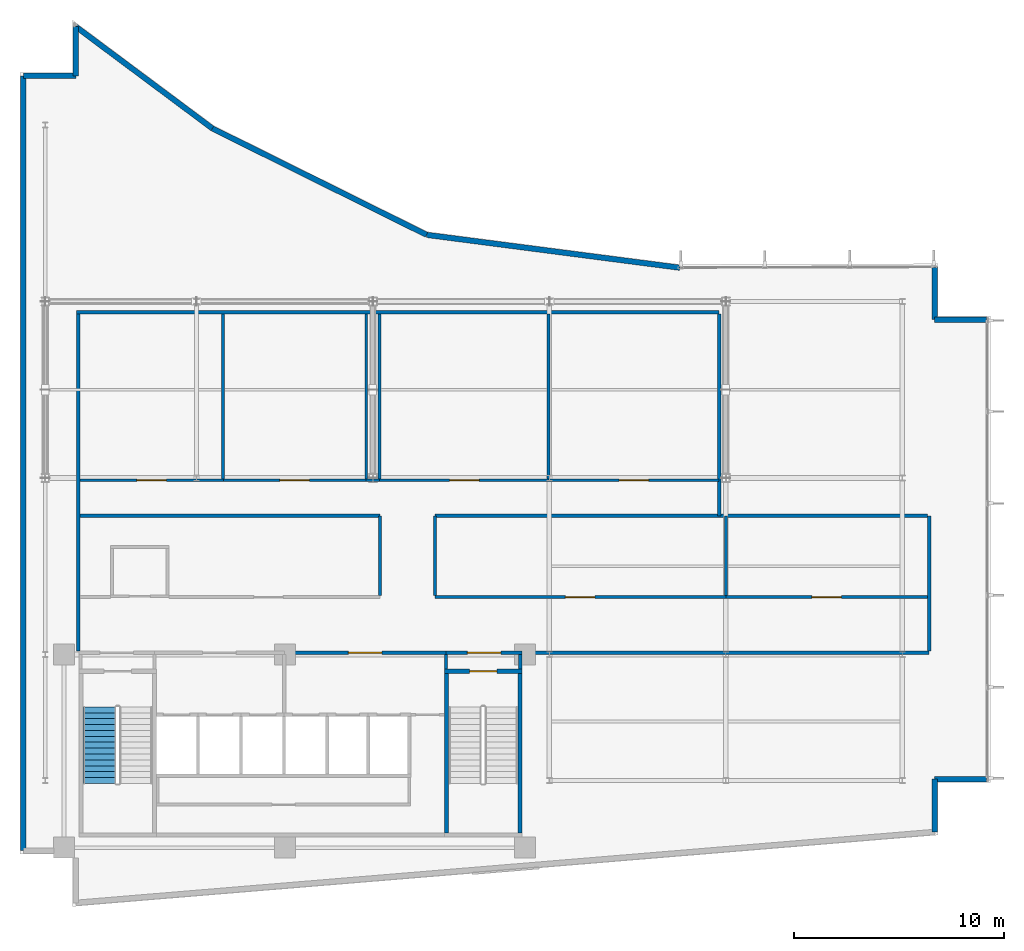
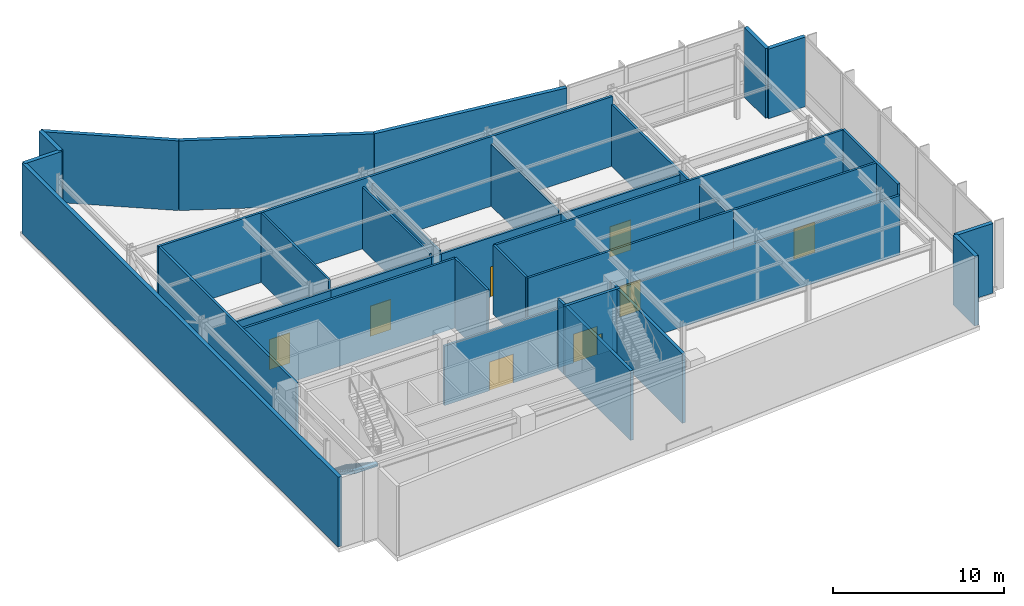
# One storey, part 11 of 15: 38 walls, 9 doors, 1 stair flight, 9 openings, 1 element without a shape of its own.
"""IFC4 building model written with IfcOpenShell, lengths in metres."""

from ifc_helpers import new_model, si_unit, direction, frame, frame_2d, origin, place, context, subcontext, project, spatial, polyline, rectangle, outline, extrude, material, layer, layer_set, type_object, element, fill, aggregate, save


model = new_model("IFC4")

# Units and contexts
model_context = context("Model", 3, precision=1e-05, world=origin(), true_north=direction((0.0, 1.0)))
body_context = subcontext(model_context, "Body", "Model", "MODEL_VIEW")
ifc_project = project(units=[si_unit("LENGTHUNIT", "METRE"), si_unit("AREAUNIT", "SQUARE_METRE"), si_unit("VOLUMEUNIT", "CUBIC_METRE"), si_unit("PLANEANGLEUNIT", "RADIAN"), si_unit("MASSUNIT", "GRAM", prefix="KILO")], contexts=[model_context])

# Site, building, storey
site_placement = place(None, origin())
site = spatial("IfcSite", under=ifc_project, at=site_placement, CompositionType="ELEMENT")
building_placement = place(site_placement, origin())
building = spatial("IfcBuilding", under=site, at=building_placement, Name="Varnakote Quay Hospital", CompositionType="ELEMENT")
storey_placement = place(building_placement, frame((0.0, 0.0, 235.550048828125)))
storey = spatial("IfcBuildingStorey", under=building, at=storey_placement, Name="L58", CompositionType="ELEMENT", Elevation=235.550048828125)

# Wall, opening, door
ifc_material_1 = material(Name="Fire-rated acoustic gypsum stud wall", Category="gypsum")
ifc_layer_1 = layer(ifc_material_1, 0.139892578125)
ifc_layer_set_1 = layer_set([ifc_layer_1], Name="Fire-rated acoustic gypsum stud wall")
wall_type_1 = type_object("IfcWallType", Name="WL-COMP-140", PredefinedType="PARTITIONING", material=ifc_layer_set_1)
wall_1_placement = place(storey_placement, frame((2.85009765625, 20.2900390625, 0.0), z_axis=(0.0, 0.0, 1.0), x_axis=(1.0, 0.0, 0.0)))
wall_1 = element("IfcWall", 1, at=wall_1_placement, inside=storey, type_object=wall_type_1, Name="L58 Central Chiller Mechanical Plant Corridor Wall", PredefinedType="PARTITIONING", context=body_context, shape_type="SweptSolid", body=[
    extrude(rectangle(XDim=6.829833984375, YDim=0.139892578125, at=frame_2d((3.4150390625, 0.0))), origin(), (0.0, 0.0, 1.0), 4.23486328125),
])
opening_1_placement = place(wall_1_placement, frame((2.715087890625, 0.0, 0.0)))
opening_1 = element("IfcOpeningElement", 2, at=opening_1_placement, cuts=wall_1, Name="Opening D-L58-CHIL", PredefinedType="OPENING", context=body_context, shape_type="SweptSolid", body=[
    extrude(rectangle(XDim=1.39990234375, YDim=2.14990234375, at=frame_2d((0.699951171875, 1.074951171875))), frame((0.0, 0.079833984375, 0.0), z_axis=(0.0, -1.0, 0.0), x_axis=(1.0, 0.0, 0.0)), (0.0, 0.0, 1.0), 0.159912109375),
])
ifc_material_2 = material(Name="Fire-rated acoustic plant room door")
door_type_1 = type_object("IfcDoorType", Name="DR-PLANT-FD60-1400x2150", OperationType="NOTDEFINED", PredefinedType="DOOR", material=ifc_material_2)
door_1_placement = place(opening_1_placement, origin())
door_1 = element("IfcDoor", 3, at=door_1_placement, inside=storey, type_object=door_type_1, Name="L58 Central Chiller Mechanical Plant Door", OperationType="SINGLE_SWING_LEFT", OverallHeight=2.14990234375, OverallWidth=1.39990234375, PredefinedType="DOOR", context=body_context, shape_type="SweptSolid", body=[
    extrude(rectangle(XDim=1.39990234375, YDim=2.14990234375, at=frame_2d((0.699951171875, 1.074951171875))), frame((0.0, 0.02490234375, 0.0), z_axis=(0.0, -1.0, 0.0), x_axis=(1.0, 0.0, 0.0)), (0.0, 0.0, 1.0), 0.050048828125),
])
fill(opening_1, door_1)

wall_2_placement = place(storey_placement, frame((9.681884765625, 20.2900390625, 0.0), z_axis=(0.0, 0.0, 1.0), x_axis=(1.0, 0.0, 0.0)))
wall_2 = element("IfcWall", 4, at=wall_2_placement, inside=storey, type_object=wall_type_1, Name="L58 Clinical Air Handling Mechanical Plant Corridor Wall", PredefinedType="PARTITIONING", context=body_context, shape_type="SweptSolid", body=[
    extrude(rectangle(XDim=6.798095703125, YDim=0.139892578125, at=frame_2d((3.39892578125, 0.0))), origin(), (0.0, 0.0, 1.0), 4.23486328125),
])
opening_2_placement = place(wall_2_placement, frame((2.68798828125, 0.0, 0.0)))
opening_2 = element("IfcOpeningElement", 5, at=opening_2_placement, cuts=wall_2, Name="Opening D-L58-AHU1", PredefinedType="OPENING", context=body_context, shape_type="SweptSolid", body=[
    extrude(rectangle(XDim=1.39990234375, YDim=2.14990234375, at=frame_2d((0.699951171875, 1.074951171875))), frame((0.0, 0.079833984375, 0.0), z_axis=(0.0, -1.0, 0.0), x_axis=(1.0, 0.0, 0.0)), (0.0, 0.0, 1.0), 0.159912109375),
])
door_2_placement = place(opening_2_placement, origin())
door_2 = element("IfcDoor", 6, at=door_2_placement, inside=storey, type_object=door_type_1, Name="L58 Clinical Air Handling Mechanical Plant Door", OperationType="SINGLE_SWING_RIGHT", OverallHeight=2.14990234375, OverallWidth=1.39990234375, PredefinedType="DOOR", context=body_context, shape_type="SweptSolid", body=[
    extrude(rectangle(XDim=1.39990234375, YDim=2.14990234375, at=frame_2d((0.699951171875, 1.074951171875))), frame((0.0, 0.02490234375, 0.0), z_axis=(0.0, -1.0, 0.0), x_axis=(1.0, 0.0, 0.0)), (0.0, 0.0, 1.0), 0.050048828125),
])
fill(opening_2, door_2)

# Wall
wall_3_placement = place(storey_placement, frame((16.47998046875, 20.2900390625, 0.0), z_axis=(0.0, 0.0, 1.0), x_axis=(1.0, 0.0, 0.0)))
element("IfcWall", 7, at=wall_3_placement, inside=storey, type_object=wall_type_1, Name="L58 Outrigger Bay Enclosure Wall", PredefinedType="PARTITIONING", context=body_context, shape_type="SweptSolid", body=[
    extrude(rectangle(XDim=0.64013671875, YDim=0.139892578125, at=frame_2d((0.320068359375, 0.0))), origin(), (0.0, 0.0, 1.0), 4.23486328125),
])

# Wall, opening, door
wall_4_placement = place(storey_placement, frame((17.1201171875, 20.2900390625, 0.0), z_axis=(0.0, 0.0, 1.0), x_axis=(1.0, 0.0, 0.0)))
wall_4 = element("IfcWall", 8, at=wall_4_placement, inside=storey, type_object=wall_type_1, Name="L58 Essential Standby Power Generator Plant Corridor Wall", PredefinedType="PARTITIONING", context=body_context, shape_type="SweptSolid", body=[
    extrude(rectangle(XDim=8.059814453125, YDim=0.139892578125, at=frame_2d((4.02978515625, 0.0))), origin(), (0.0, 0.0, 1.0), 4.23486328125),
])
opening_3_placement = place(wall_4_placement, frame((3.330078125, 0.0, 0.0)))
opening_3 = element("IfcOpeningElement", 9, at=opening_3_placement, cuts=wall_4, Name="Opening D-L58-STBY", PredefinedType="OPENING", context=body_context, shape_type="SweptSolid", body=[
    extrude(rectangle(XDim=1.39990234375, YDim=2.14990234375, at=frame_2d((0.699951171875, 1.074951171875))), frame((0.0, 0.079833984375, 0.0), z_axis=(0.0, -1.0, 0.0), x_axis=(1.0, 0.0, 0.0)), (0.0, 0.0, 1.0), 0.159912109375),
])
door_3_placement = place(opening_3_placement, origin())
door_3 = element("IfcDoor", 10, at=door_3_placement, inside=storey, type_object=door_type_1, Name="L58 Essential Standby Power Generator Plant Door", OperationType="SINGLE_SWING_LEFT", OverallHeight=2.14990234375, OverallWidth=1.39990234375, PredefinedType="DOOR", context=body_context, shape_type="SweptSolid", body=[
    extrude(rectangle(XDim=1.39990234375, YDim=2.14990234375, at=frame_2d((0.699951171875, 1.074951171875))), frame((0.0, 0.02490234375, 0.0), z_axis=(0.0, -1.0, 0.0), x_axis=(1.0, 0.0, 0.0)), (0.0, 0.0, 1.0), 0.050048828125),
])
fill(opening_3, door_3)

wall_5_placement = place(storey_placement, frame((25.181884765625, 20.2900390625, 0.0), z_axis=(0.0, 0.0, 1.0), x_axis=(1.0, 0.0, 0.0)))
wall_5 = element("IfcWall", 11, at=wall_5_placement, inside=storey, type_object=wall_type_1, Name="L58 Hydraulic Break Tank & Fire Pump Plant Corridor Wall", PredefinedType="PARTITIONING", context=body_context, shape_type="SweptSolid", body=[
    extrude(rectangle(XDim=8.09814453125, YDim=0.139892578125, at=frame_2d((4.049072265625, 0.0))), origin(), (0.0, 0.0, 1.0), 4.23486328125),
])
opening_4_placement = place(wall_5_placement, frame((3.337890625, 0.0, 0.0)))
opening_4 = element("IfcOpeningElement", 12, at=opening_4_placement, cuts=wall_5, Name="Opening D-L58-PUMP", PredefinedType="OPENING", context=body_context, shape_type="SweptSolid", body=[
    extrude(rectangle(XDim=1.39990234375, YDim=2.14990234375, at=frame_2d((0.699951171875, 1.074951171875))), frame((0.0, 0.079833984375, 0.0), z_axis=(0.0, -1.0, 0.0), x_axis=(1.0, 0.0, 0.0)), (0.0, 0.0, 1.0), 0.159912109375),
])
door_4_placement = place(opening_4_placement, origin())
door_4 = element("IfcDoor", 13, at=door_4_placement, inside=storey, type_object=door_type_1, Name="L58 Hydraulic Break Tank & Fire Pump Plant Door", OperationType="SINGLE_SWING_RIGHT", OverallHeight=2.14990234375, OverallWidth=1.39990234375, PredefinedType="DOOR", context=body_context, shape_type="SweptSolid", body=[
    extrude(rectangle(XDim=1.39990234375, YDim=2.14990234375, at=frame_2d((0.699951171875, 1.074951171875))), frame((0.0, 0.02490234375, 0.0), z_axis=(0.0, -1.0, 0.0), x_axis=(1.0, 0.0, 0.0)), (0.0, 0.0, 1.0), 0.050048828125),
])
fill(opening_4, door_4)

# Walls
ifc_material_3 = material(Name="Fire-rated acoustic gypsum stud wall", Category="gypsum")
ifc_layer_2 = layer(ifc_material_3, 0.14990234375)
ifc_layer_set_2 = layer_set([ifc_layer_2], Name="Fire-rated acoustic gypsum stud wall")
wall_type_2 = type_object("IfcWallType", Name="WL-COMP-150", PredefinedType="PARTITIONING", material=ifc_layer_set_2)
wall_6_placement = place(storey_placement, frame((17.139892578125, 14.81005859375, 0.0), z_axis=(0.0, 0.0, 1.0), x_axis=(0.0, 1.0, 0.0)))
element("IfcWall", 14, at=wall_6_placement, inside=storey, type_object=wall_type_2, Name="L58 West Refuge Link Wall", PredefinedType="PARTITIONING", context=body_context, shape_type="SweptSolid", body=[
    extrude(rectangle(XDim=3.7900390625, YDim=0.14990234375, at=frame_2d((1.89501953125, 0.0))), origin(), (0.0, 0.0, 1.0), 4.9599609375),
])
wall_7_placement = place(storey_placement, frame((2.85009765625, 18.60009765625, 0.0), z_axis=(0.0, 0.0, 1.0), x_axis=(1.0, 0.0, 0.0)))
element("IfcWall", 15, at=wall_7_placement, inside=storey, type_object=wall_type_2, Name="L58 West Refuge North Wall", PredefinedType="PARTITIONING", context=body_context, shape_type="SweptSolid", body=[
    extrude(rectangle(XDim=14.289794921875, YDim=0.14990234375, at=frame_2d((7.14501953125, 0.0))), origin(), (0.0, 0.0, 1.0), 4.9599609375),
])
wall_8_placement = place(storey_placement, frame((19.760009765625, 14.81005859375, 0.0), z_axis=(0.0, 0.0, 1.0), x_axis=(0.0, 1.0, 0.0)))
element("IfcWall", 16, at=wall_8_placement, inside=storey, type_object=wall_type_2, Name="L58 Central Refuge Link Wall", PredefinedType="PARTITIONING", context=body_context, shape_type="SweptSolid", body=[
    extrude(rectangle(XDim=3.7900390625, YDim=0.14990234375, at=frame_2d((1.89501953125, 0.0))), origin(), (0.0, 0.0, 1.0), 4.9599609375),
])

# Wall, opening, door
wall_9_placement = place(storey_placement, frame((19.760009765625, 14.72998046875, 0.0), z_axis=(0.0, 0.0, 1.0), x_axis=(1.0, 0.0, 0.0)))
wall_9 = element("IfcWall", 17, at=wall_9_placement, inside=storey, type_object=wall_type_2, Name="L58 Central Refuge Corridor Wall", PredefinedType="PARTITIONING", context=body_context, shape_type="SweptSolid", body=[
    extrude(rectangle(XDim=13.840087890625, YDim=0.14990234375, at=frame_2d((6.919921875, 0.0))), origin(), (0.0, 0.0, 1.0), 4.9599609375),
])
opening_5_placement = place(wall_9_placement, frame((6.199951171875, 0.0, 0.0)))
opening_5 = element("IfcOpeningElement", 18, at=opening_5_placement, cuts=wall_9, Name="Opening D-REF2-L58", PredefinedType="OPENING", context=body_context, shape_type="SweptSolid", body=[
    extrude(rectangle(XDim=1.39990234375, YDim=2.14990234375, at=frame_2d((0.699951171875, 1.074951171875))), frame((0.0, 0.0849609375, 0.0), z_axis=(0.0, -1.0, 0.0), x_axis=(1.0, 0.0, 0.0)), (0.0, 0.0, 1.0), 0.169921875),
])
door_5_placement = place(opening_5_placement, origin())
door_5 = element("IfcDoor", 19, at=door_5_placement, inside=storey, type_object=door_type_1, Name="L58 Fire Refuge Holding Area Central Door", OperationType="SINGLE_SWING_LEFT", OverallHeight=2.14990234375, OverallWidth=1.39990234375, PredefinedType="DOOR", context=body_context, shape_type="SweptSolid", body=[
    extrude(rectangle(XDim=1.39990234375, YDim=2.14990234375, at=frame_2d((0.699951171875, 1.074951171875))), frame((0.0, 0.02490234375, 0.0), z_axis=(0.0, -1.0, 0.0), x_axis=(1.0, 0.0, 0.0)), (0.0, 0.0, 1.0), 0.050048828125),
])
fill(opening_5, door_5)

# Wall
wall_10_placement = place(storey_placement, frame((33.60009765625, 14.81005859375, 0.0), z_axis=(0.0, 0.0, 1.0), x_axis=(0.0, 1.0, 0.0)))
element("IfcWall", 20, at=wall_10_placement, inside=storey, type_object=wall_type_2, Name="L58 East Refuge Divider Wall", PredefinedType="PARTITIONING", context=body_context, shape_type="SweptSolid", body=[
    extrude(rectangle(XDim=3.7900390625, YDim=0.14990234375, at=frame_2d((1.89501953125, 0.0))), origin(), (0.0, 0.0, 1.0), 4.406982421875),
])

# Wall, opening, door
wall_11_placement = place(storey_placement, frame((33.60009765625, 14.72998046875, 0.0), z_axis=(0.0, 0.0, 1.0), x_axis=(1.0, 0.0, 0.0)))
wall_11 = element("IfcWall", 21, at=wall_11_placement, inside=storey, type_object=wall_type_2, Name="L58 East Refuge Corridor Wall", PredefinedType="PARTITIONING", context=body_context, shape_type="SweptSolid", body=[
    extrude(rectangle(XDim=9.599853515625, YDim=0.14990234375, at=frame_2d((4.7998046875, 0.0))), origin(), (0.0, 0.0, 1.0), 4.9599609375),
])
opening_6_placement = place(wall_11_placement, frame((4.10009765625, 0.0, 0.0)))
opening_6 = element("IfcOpeningElement", 22, at=opening_6_placement, cuts=wall_11, Name="Opening D-REF3-L58", PredefinedType="OPENING", context=body_context, shape_type="SweptSolid", body=[
    extrude(rectangle(XDim=1.39990234375, YDim=2.14990234375, at=frame_2d((0.699951171875, 1.074951171875))), frame((0.0, 0.0849609375, 0.0), z_axis=(0.0, -1.0, 0.0), x_axis=(1.0, 0.0, 0.0)), (0.0, 0.0, 1.0), 0.169921875),
])
door_6_placement = place(opening_6_placement, origin())
door_6 = element("IfcDoor", 23, at=door_6_placement, inside=storey, type_object=door_type_1, Name="L58 Fire Refuge Holding Area East Door", OperationType="SINGLE_SWING_RIGHT", OverallHeight=2.14990234375, OverallWidth=1.39990234375, PredefinedType="DOOR", context=body_context, shape_type="SweptSolid", body=[
    extrude(rectangle(XDim=1.39990234375, YDim=2.14990234375, at=frame_2d((0.699951171875, 1.074951171875))), frame((0.0, 0.02490234375, 0.0), z_axis=(0.0, -1.0, 0.0), x_axis=(1.0, 0.0, 0.0)), (0.0, 0.0, 1.0), 0.050048828125),
])
fill(opening_6, door_6)

# Wall
wall_12_placement = place(storey_placement, frame((19.760009765625, 18.60009765625, 0.0), z_axis=(0.0, 0.0, 1.0), x_axis=(1.0, 0.0, 0.0)))
element("IfcWall", 24, at=wall_12_placement, inside=storey, type_object=wall_type_2, Name="L58 East Refuge North Wall", PredefinedType="PARTITIONING", context=body_context, shape_type="SweptSolid", body=[
    extrude(rectangle(XDim=23.43994140625, YDim=0.14990234375, at=frame_2d((11.719970703125, 0.0))), origin(), (0.0, 0.0, 1.0), 4.9599609375),
])

# Wall, opening, door
ifc_material_4 = material(Name="Fire-rated acoustic gypsum stud wall", Category="gypsum")
ifc_layer_3 = layer(ifc_material_4, 0.159912109375)
ifc_layer_set_3 = layer_set([ifc_layer_3], Name="Fire-rated acoustic gypsum stud wall")
wall_type_3 = type_object("IfcWallType", Name="WL-COMP-160", PredefinedType="PARTITIONING", material=ifc_layer_set_3)
wall_13_placement = place(storey_placement, frame((12.580078125, 12.080078125, 0.0), z_axis=(0.0, 0.0, 1.0), x_axis=(1.0, 0.0, 0.0)))
wall_13 = element("IfcWall", 25, at=wall_13_placement, inside=storey, type_object=wall_type_3, Name="L58 Clinical Bed Lift Lobby Wall", PredefinedType="PARTITIONING", context=body_context, shape_type="SweptSolid", body=[
    extrude(rectangle(XDim=7.699951171875, YDim=0.159912109375, at=frame_2d((3.85009765625, 0.0))), origin(), (0.0, 0.0, 1.0), 4.23486328125),
])
opening_7_placement = place(wall_13_placement, frame((3.050048828125, 0.0, 0.0)))
opening_7 = element("IfcOpeningElement", 26, at=opening_7_placement, cuts=wall_13, Name="Opening D-SVL-L58", PredefinedType="OPENING", context=body_context, shape_type="SweptSolid", body=[
    extrude(rectangle(XDim=1.60009765625, YDim=2.050048828125, at=frame_2d((0.800048828125, 1.02490234375))), frame((0.0, 0.08984375, 0.0), z_axis=(0.0, -1.0, 0.0), x_axis=(1.0, 0.0, 0.0)), (0.0, 0.0, 1.0), 0.179931640625),
])
ifc_material_5 = material(Name="Fire-rated double smoke lobby door")
door_type_2 = type_object("IfcDoorType", Name="DR-LOBBY-FD60S-1600x2150", OperationType="NOTDEFINED", PredefinedType="DOOR", material=ifc_material_5)
door_7_placement = place(opening_7_placement, origin())
door_7 = element("IfcDoor", 27, at=door_7_placement, inside=storey, type_object=door_type_2, Name="L58 Clinical Core Smoke Vestibule Door", OperationType="DOUBLE_DOOR_SINGLE_SWING", OverallHeight=2.050048828125, OverallWidth=1.60009765625, PredefinedType="DOOR", context=body_context, shape_type="SweptSolid", body=[
    extrude(rectangle(XDim=1.60009765625, YDim=2.050048828125, at=frame_2d((0.800048828125, 1.02490234375))), frame((0.0, 0.02490234375, 0.0), z_axis=(0.0, -1.0, 0.0), x_axis=(1.0, 0.0, 0.0)), (0.0, 0.0, 1.0), 0.050048828125),
])
fill(opening_7, door_7)

# Wall
wall_14_placement = place(storey_placement, frame((20.280029296875, 11.300048828125, 0.0), z_axis=(0.0, 0.0, 1.0), x_axis=(0.0, 1.0, 0.0)))
element("IfcWall", 28, at=wall_14_placement, inside=storey, type_object=wall_type_3, Name="L58 East Stair Vestibule Divider Wall", PredefinedType="PARTITIONING", context=body_context, shape_type="SweptSolid", body=[
    extrude(rectangle(XDim=0.699951171875, YDim=0.159912109375, at=frame_2d((0.35009765625, 0.0))), origin(), (0.0, 0.0, 1.0), 4.9599609375),
])

# Wall, opening, door
wall_15_placement = place(storey_placement, frame((20.280029296875, 12.080078125, 0.0), z_axis=(0.0, 0.0, 1.0), x_axis=(1.0, 0.0, 0.0)))
wall_15 = element("IfcWall", 29, at=wall_15_placement, inside=storey, type_object=wall_type_3, Name="L58 East Stair Vestibule Smoke Wall", PredefinedType="PARTITIONING", context=body_context, shape_type="SweptSolid", body=[
    extrude(rectangle(XDim=3.619873046875, YDim=0.159912109375, at=frame_2d((1.81005859375, 0.0))), origin(), (0.0, 0.0, 1.0), 4.23486328125),
])
opening_8_placement = place(wall_15_placement, frame((1.010009765625, 0.0, 0.0)))
opening_8 = element("IfcOpeningElement", 30, at=opening_8_placement, cuts=wall_15, Name="Opening D-ST2L-L58", PredefinedType="OPENING", context=body_context, shape_type="SweptSolid", body=[
    extrude(rectangle(XDim=1.60009765625, YDim=2.050048828125, at=frame_2d((0.800048828125, 1.02490234375))), frame((0.0, 0.08984375, 0.0), z_axis=(0.0, -1.0, 0.0), x_axis=(1.0, 0.0, 0.0)), (0.0, 0.0, 1.0), 0.179931640625),
])
door_8_placement = place(opening_8_placement, origin())
door_8 = element("IfcDoor", 31, at=door_8_placement, inside=storey, type_object=door_type_2, Name="L58 East Stair Vestibule Smoke Door", OperationType="DOUBLE_DOOR_SINGLE_SWING", OverallHeight=2.050048828125, OverallWidth=1.60009765625, PredefinedType="DOOR", context=body_context, shape_type="SweptSolid", body=[
    extrude(rectangle(XDim=1.60009765625, YDim=2.050048828125, at=frame_2d((0.800048828125, 1.02490234375))), frame((0.0, 0.02490234375, 0.0), z_axis=(0.0, -1.0, 0.0), x_axis=(1.0, 0.0, 0.0)), (0.0, 0.0, 1.0), 0.050048828125),
])
fill(opening_8, door_8)

# Walls
wall_16_placement = place(storey_placement, frame((23.820068359375, 11.300048828125, 0.0), z_axis=(0.0, 0.0, 1.0), x_axis=(0.0, 1.0, 0.0)))
element("IfcWall", 32, at=wall_16_placement, inside=storey, type_object=wall_type_3, Name="L58 East Stair Vestibule East Wall", PredefinedType="PARTITIONING", context=body_context, shape_type="SweptSolid", body=[
    extrude(rectangle(XDim=0.699951171875, YDim=0.159912109375, at=frame_2d((0.35009765625, 0.0))), origin(), (0.0, 0.0, 1.0), 4.9599609375),
])
wall_17_placement = place(storey_placement, frame((2.77001953125, 12.159912109375, 0.0), z_axis=(0.0, 0.0, 1.0), x_axis=(0.0, 1.0, 0.0)))
element("IfcWall", 33, at=wall_17_placement, inside=storey, type_object=wall_type_3, Name="L58 Plant Block West Enclosure Wall", PredefinedType="PARTITIONING", context=body_context, shape_type="SweptSolid", body=[
    extrude(rectangle(XDim=16.0400390625, YDim=0.159912109375, at=frame_2d((8.02001953125, 0.0))), origin(), (0.0, 0.0, 1.0), 4.9599609375),
])
wall_18_placement = place(storey_placement, frame((2.68994140625, 28.280029296875, 0.0), z_axis=(0.0, 0.0, 1.0), x_axis=(1.0, 0.0, 0.0)))
element("IfcWall", 34, at=wall_18_placement, inside=storey, type_object=wall_type_3, Name="L58 Plant Block North Enclosure Wall", PredefinedType="PARTITIONING", context=body_context, shape_type="SweptSolid", body=[
    extrude(rectangle(XDim=30.590087890625, YDim=0.159912109375, at=frame_2d((15.294921875, 0.0))), origin(), (0.0, 0.0, 1.0), 4.9599609375),
])
wall_19_placement = place(storey_placement, frame((33.280029296875, 18.60009765625, 0.0), z_axis=(0.0, 0.0, 1.0), x_axis=(0.0, 1.0, 0.0)))
element("IfcWall", 35, at=wall_19_placement, inside=storey, type_object=wall_type_3, Name="L58 Plant Block East Enclosure Wall", PredefinedType="PARTITIONING", context=body_context, shape_type="SweptSolid", body=[
    extrude(rectangle(XDim=9.599853515625, YDim=0.159912109375, at=frame_2d((4.7998046875, 0.0))), origin(), (0.0, 0.0, 1.0), 4.406982421875),
])
wall_20_placement = place(storey_placement, frame((43.280029296875, 12.159912109375, 0.0), z_axis=(0.0, 0.0, 1.0), x_axis=(0.0, 1.0, 0.0)))
element("IfcWall", 36, at=wall_20_placement, inside=storey, type_object=wall_type_3, Name="L58 Refuge & Plant East End Wall", PredefinedType="PARTITIONING", context=body_context, shape_type="SweptSolid", body=[
    extrude(rectangle(XDim=6.440185546875, YDim=0.159912109375, at=frame_2d((3.22021484375, 0.0))), origin(), (0.0, 0.0, 1.0), 4.9599609375),
])
wall_21_placement = place(storey_placement, frame((23.919921875, 12.080078125, 0.0), z_axis=(0.0, 0.0, 1.0), x_axis=(1.0, 0.0, 0.0)))
element("IfcWall", 37, at=wall_21_placement, inside=storey, type_object=wall_type_3, Name="L58 Plant Corridor South Gap Wall", PredefinedType="PARTITIONING", context=body_context, shape_type="SweptSolid", body=[
    extrude(rectangle(XDim=19.360107421875, YDim=0.159912109375, at=frame_2d((9.68017578125, 0.0))), origin(), (0.0, 0.0, 1.0), 4.23486328125),
])
ifc_material_6 = material(Name="Precast concrete N50 (f'c 50 MPa)", Category="concrete")
ifc_layer_4 = layer(ifc_material_6, 0.260009765625)
ifc_layer_set_4 = layer_set([ifc_layer_4], Name="Precast concrete N50 (f'c 50 MPa)")
wall_type_4 = type_object("IfcWallType", Name="WL-EXT-BRICK-260", PredefinedType="STANDARD", material=ifc_layer_set_4)
wall_22_placement = place(storey_placement, frame((43.5400390625, 3.54736328125, 0.0), z_axis=(0.0, 0.0, 1.0), x_axis=(0.0, 1.0, 0.0)))
element("IfcWall", 38, at=wall_22_placement, inside=storey, type_object=wall_type_4, Name="L58 Brick-Faced Precast Exterior Wall", PredefinedType="STANDARD", context=body_context, shape_type="SweptSolid", body=[
    extrude(rectangle(XDim=2.5126953125, YDim=0.260009765625, at=frame_2d((1.25634765625, 0.0))), origin(), (0.0, 0.0, 1.0), 4.9599609375),
])
for number, where, z_axis, x_axis, name in (
    (39, (43.5400390625, 6.06005859375, 0.0), (0.0, 0.0, 1.0), (1.0, 0.0, 0.0), "L58 Brick-Faced Precast Exterior Wall"),
    (40, (46.0400390625, 27.93994140625, 0.0), (0.0, 0.0, 1.0), (-1.0, 0.0, 0.0), "L58 Brick-Faced Precast Exterior Wall"),
):
    element("IfcWall", number, at=place(storey_placement, frame(where, z_axis=z_axis, x_axis=x_axis)), inside=storey, type_object=wall_type_4, Name=name, PredefinedType="STANDARD", context=body_context, shape_type="SweptSolid", body=[
        extrude(rectangle(XDim=2.5, YDim=0.260009765625, at=frame_2d((1.25, 0.0))), origin(), (0.0, 0.0, 1.0), 4.9599609375),
    ])
wall_23_placement = place(storey_placement, frame((43.5400390625, 27.93994140625, 0.0), z_axis=(0.0, 0.0, 1.0), x_axis=(0.0, 1.0, 0.0)))
element("IfcWall", 41, at=wall_23_placement, inside=storey, type_object=wall_type_4, Name="L58 Brick-Faced Precast Exterior Wall", PredefinedType="STANDARD", context=body_context, shape_type="SweptSolid", body=[
    extrude(rectangle(XDim=2.499755859375, YDim=0.260009765625, at=frame_2d((1.25, 0.0))), origin(), (0.0, 0.0, 1.0), 4.9599609375),
])
wall_24_placement = place(storey_placement, frame((31.406005859375, 30.407958984375, 0.0), z_axis=(0.0, 0.0, 1.0), x_axis=(-0.991671073677, 0.128796279577, 0.0)))
element("IfcWall", 42, at=wall_24_placement, inside=storey, type_object=wall_type_4, Name="L58 Brick-Faced Precast Exterior Wall", PredefinedType="STANDARD", context=body_context, shape_type="SweptSolid", body=[
    extrude(rectangle(XDim=12.150634765625, YDim=0.260009765625, at=frame_2d((6.0751953125, 0.0))), origin(), (0.0, 0.0, 1.0), 4.9599609375),
])
wall_25_placement = place(storey_placement, frame((19.356689453125, 31.972900390625, 0.0), z_axis=(0.0, 0.0, 1.0), x_axis=(-0.895624365378, 0.444811191565, 0.0)))
element("IfcWall", 43, at=wall_25_placement, inside=storey, type_object=wall_type_4, Name="L58 Brick-Faced Precast Exterior Wall", PredefinedType="STANDARD", context=body_context, shape_type="SweptSolid", body=[
    extrude(rectangle(XDim=11.389404296875, YDim=0.260009765625, at=frame_2d((5.69482421875, 0.0))), origin(), (0.0, 0.0, 1.0), 4.9599609375),
])
wall_26_placement = place(storey_placement, frame((9.156005859375, 37.0390625, 0.0), z_axis=(0.0, 0.0, 1.0), x_axis=(-0.801775528243, 0.597625302602, 0.0)))
element("IfcWall", 44, at=wall_26_placement, inside=storey, type_object=wall_type_4, Name="L58 Brick-Faced Precast Exterior Wall", PredefinedType="STANDARD", context=body_context, shape_type="SweptSolid", body=[
    extrude(rectangle(XDim=8.10205078125, YDim=0.260009765625, at=frame_2d((4.051025390625, 0.0))), origin(), (0.0, 0.0, 1.0), 4.9599609375),
])
wall_27_placement = place(storey_placement, frame((2.659912109375, 41.881103515625, 0.0), z_axis=(0.0, 0.0, 1.0), x_axis=(0.0, -1.0, 0.0)))
element("IfcWall", 45, at=wall_27_placement, inside=storey, type_object=wall_type_4, Name="L58 Brick-Faced Precast Exterior Wall", PredefinedType="STANDARD", context=body_context, shape_type="SweptSolid", body=[
    extrude(rectangle(XDim=2.341064453125, YDim=0.260009765625, at=frame_2d((1.17041015625, 0.0))), origin(), (0.0, 0.0, 1.0), 4.9599609375),
])
wall_28_placement = place(storey_placement, frame((2.659912109375, 39.5400390625, 0.0), z_axis=(0.0, 0.0, 1.0), x_axis=(-1.0, 0.0, 0.0)))
element("IfcWall", 46, at=wall_28_placement, inside=storey, type_object=wall_type_4, Name="L58 Brick-Faced Precast Exterior Wall", PredefinedType="STANDARD", context=body_context, shape_type="SweptSolid", body=[
    extrude(rectangle(XDim=2.5, YDim=0.260009765625, at=frame_2d((1.25, 0.0))), origin(), (0.0, 0.0, 1.0), 4.9599609375),
])
wall_29_placement = place(storey_placement, frame((0.159912109375, 39.5400390625, 0.0), z_axis=(0.0, 0.0, 1.0), x_axis=(0.0, -1.0, 0.0)))
element("IfcWall", 47, at=wall_29_placement, inside=storey, type_object=wall_type_4, Name="L58 Brick-Faced Precast Exterior Wall", PredefinedType="STANDARD", context=body_context, shape_type="SweptSolid", body=[
    extrude(rectangle(XDim=36.880126953125, YDim=0.260009765625, at=frame_2d((18.43994140625, 0.0))), origin(), (0.0, 0.0, 1.0), 4.9599609375),
])
ifc_material_7 = material(Name="Concrete N50 (f'c 50 MPa)", Category="concrete")
ifc_layer_5 = layer(ifc_material_7, 0.199951171875)
ifc_layer_set_5 = layer_set([ifc_layer_5], Name="Concrete N50 (f'c 50 MPa)")
wall_type_5 = type_object("IfcWallType", Name="WL-SHAFT-N50-200", PredefinedType="SHEAR", material=ifc_layer_set_5)
for number, where, z_axis, x_axis, name in (
    (48, (20.300048828125, 3.5, 0.0), (0.0, 0.0, 1.0), (0.0, 1.0, 0.0), "L58 Stair ST2 West Shaft Wall"),
    (49, (23.800048828125, 3.5, 0.0), (0.0, 0.0, 1.0), (0.0, 1.0, 0.0), "L58 Stair ST2 East Shaft Wall"),
):
    element("IfcWall", number, at=place(storey_placement, frame(where, z_axis=z_axis, x_axis=x_axis)), inside=storey, type_object=wall_type_5, Name=name, PredefinedType="SHEAR", context=body_context, shape_type="SweptSolid", body=[
        extrude(rectangle(XDim=7.60009765625, YDim=0.199951171875, at=frame_2d((3.800048828125, 0.0))), origin(), (0.0, 0.0, 1.0), 4.9599609375),
    ])

# Wall, opening, door
wall_30_placement = place(storey_placement, frame((20.199951171875, 11.199951171875, 0.0), z_axis=(0.0, 0.0, 1.0), x_axis=(1.0, 0.0, 0.0)))
wall_30 = element("IfcWall", 50, at=wall_30_placement, inside=storey, type_object=wall_type_5, Name="L58 Stair ST2 Exit Wall", PredefinedType="SHEAR", context=body_context, shape_type="SweptSolid", body=[
    extrude(rectangle(XDim=3.699951171875, YDim=0.199951171875, at=frame_2d((1.85009765625, 0.0))), origin(), (0.0, 0.0, 1.0), 4.9599609375),
])
opening_9_placement = place(wall_30_placement, frame((1.199951171875, 0.0, 0.0)))
opening_9 = element("IfcOpeningElement", 51, at=opening_9_placement, cuts=wall_30, Name="Opening D-ST2-L58", PredefinedType="OPENING", context=body_context, shape_type="SweptSolid", body=[
    extrude(rectangle(XDim=1.300048828125, YDim=2.14990234375, at=frame_2d((0.64990234375, 1.074951171875))), frame((0.0, 0.10986328125, 0.0), z_axis=(0.0, -1.0, 0.0), x_axis=(1.0, 0.0, 0.0)), (0.0, 0.0, 1.0), 0.219970703125),
])
ifc_material_8 = material(Name="Fire-rated ceramic-glazed timber exit door", Category="wood")
door_type_3 = type_object("IfcDoorType", Name="DR-STAIR-FD60S-1300x2150", OperationType="NOTDEFINED", PredefinedType="DOOR", material=ifc_material_8)
door_9_placement = place(opening_9_placement, origin())
door_9 = element("IfcDoor", 52, at=door_9_placement, inside=storey, type_object=door_type_3, Name="L58 Stair ST2 Fire Exit Door", OperationType="SINGLE_SWING_RIGHT", OverallHeight=2.14990234375, OverallWidth=1.300048828125, PredefinedType="DOOR", context=body_context, shape_type="SweptSolid", body=[
    extrude(rectangle(XDim=1.300048828125, YDim=2.14990234375, at=frame_2d((0.64990234375, 1.074951171875))), frame((0.0, 0.02490234375, 0.0), z_axis=(0.0, -1.0, 0.0), x_axis=(1.0, 0.0, 0.0)), (0.0, 0.0, 1.0), 0.050048828125),
])
fill(opening_9, door_9)

# Walls
ifc_material_9 = material(Name="Smoke-proof clinical partition", Category="gypsum")
ifc_layer_6 = layer(ifc_material_9, 0.135009765625)
ifc_layer_set_6 = layer_set([ifc_layer_6], Name="Smoke-proof clinical partition")
wall_type_6 = type_object("IfcWallType", Name="WL-SMOKE-135", PredefinedType="PARTITIONING", material=ifc_layer_set_6)
wall_31_placement = place(storey_placement, frame((9.659912109375, 20.360107421875, 0.0), z_axis=(0.0, 0.0, 1.0), x_axis=(0.0, 1.0, 0.0)))
element("IfcWall", 53, at=wall_31_placement, inside=storey, type_object=wall_type_6, Name="L58 Clinical Air Handling Mechanical Plant West Wall", PredefinedType="PARTITIONING", context=body_context, shape_type="SweptSolid", body=[
    extrude(rectangle(XDim=7.83984375, YDim=0.135009765625, at=frame_2d((3.919921875, 0.0))), origin(), (0.0, 0.0, 1.0), 4.9599609375),
])
for number, where, z_axis, x_axis, name in (
    (54, (16.47998046875, 20.360107421875, 0.0), (0.0, 0.0, 1.0), (0.0, 1.0, 0.0), "L58 Clinical Air Handling Mechanical Plant East Wall"),
    (55, (17.1201171875, 20.360107421875, 0.0), (0.0, 0.0, 1.0), (0.0, 1.0, 0.0), "L58 Essential Standby Power Generator Plant West Wall"),
    (56, (25.159912109375, 20.360107421875, 0.0), (0.0, 0.0, 1.0), (0.0, 1.0, 0.0), "L58 Hydraulic Break Tank & Fire Pump Plant West Wall"),
):
    element("IfcWall", number, at=place(storey_placement, frame(where, z_axis=z_axis, x_axis=x_axis)), inside=storey, type_object=wall_type_6, Name=name, PredefinedType="PARTITIONING", context=body_context, shape_type="SweptSolid", body=[
        extrude(rectangle(XDim=7.83984375, YDim=0.135009765625, at=frame_2d((3.919921875, 0.0))), origin(), (0.0, 0.0, 1.0), 4.406982421875),
    ])

# Stair, stair flight
ifc_material_10 = material(Name="Concrete N40 (f'c 40 MPa)", Category="concrete")
stair_type = type_object("IfcStairType", Name="STR-CORE-1580", PredefinedType="HALF_TURN_STAIR", material=ifc_material_10)
stair_placement = place(storey_placement, origin())
stair = element("IfcStair", 57, at=stair_placement, inside=storey, type_object=stair_type, Name="L58 Fire-Isolated Exit Stair ST-01", PredefinedType="HALF_TURN_STAIR")
ifc_material_11 = material(Name="Concrete N40 (f'c 40 MPa)", Category="concrete")
ifc_layer_7 = layer(ifc_material_11, 0.159912109375)
ifc_layer_set_7 = layer_set([ifc_layer_7], Name="Concrete N40 (f'c 40 MPa)")
stair_flight_type = type_object("IfcStairFlightType", Name="FLT-CORE-1580", PredefinedType="STRAIGHT", material=ifc_layer_set_7)
stair_flight_placement = place(storey_placement, frame((3.7900390625, 9.5, 0.0), z_axis=(0.0, 0.0, 1.0), x_axis=(0.0, -1.0, 0.0)))
stair_flight = element("IfcStairFlight", 58, at=stair_flight_placement, type_object=stair_flight_type, Name="ST-01 flight 1", NumberOfRisers=14, NumberOfTreads=13, PredefinedType="STRAIGHT", RiserHeight=0.185714286, TreadLength=0.28, context=body_context, shape_type="SweptSolid", body=[
    extrude(outline(polyline([(0.0, 0.0), (0.0, 0.185791015625), (0.280029296875, 0.185791015625), (0.280029296875, 0.371337890625), (0.56005859375, 0.371337890625), (0.56005859375, 0.55712890625), (0.840087890625, 0.55712890625), (0.840087890625, 0.742919921875), (1.1201171875, 0.742919921875), (1.1201171875, 0.928466796875), (1.39990234375, 0.928466796875), (1.39990234375, 1.1142578125), (1.679931640625, 1.1142578125), (1.679931640625, 1.300048828125), (1.9599609375, 1.300048828125), (1.9599609375, 1.485595703125), (2.239990234375, 1.485595703125), (2.239990234375, 1.67138671875), (2.52001953125, 1.67138671875), (2.52001953125, 1.857177734375), (2.800048828125, 1.857177734375), (2.800048828125, 2.04296875), (3.080078125, 2.04296875), (3.080078125, 2.228515625), (3.360107421875, 2.228515625), (3.360107421875, 2.414306640625), (3.639892578125, 2.414306640625), (3.639892578125, 2.60009765625), (3.639892578125, 2.222412109375), (0.289306640625, 0.0), (0.0, 0.0)])), frame((0.0, 0.7900390625, 0.0), z_axis=(0.0, -1.0, 0.0), x_axis=(1.0, 0.0, 0.0)), (0.0, 0.0, 1.0), 1.580078125),
])
aggregate(stair, [stair_flight])

save(model, "model.ifc")
